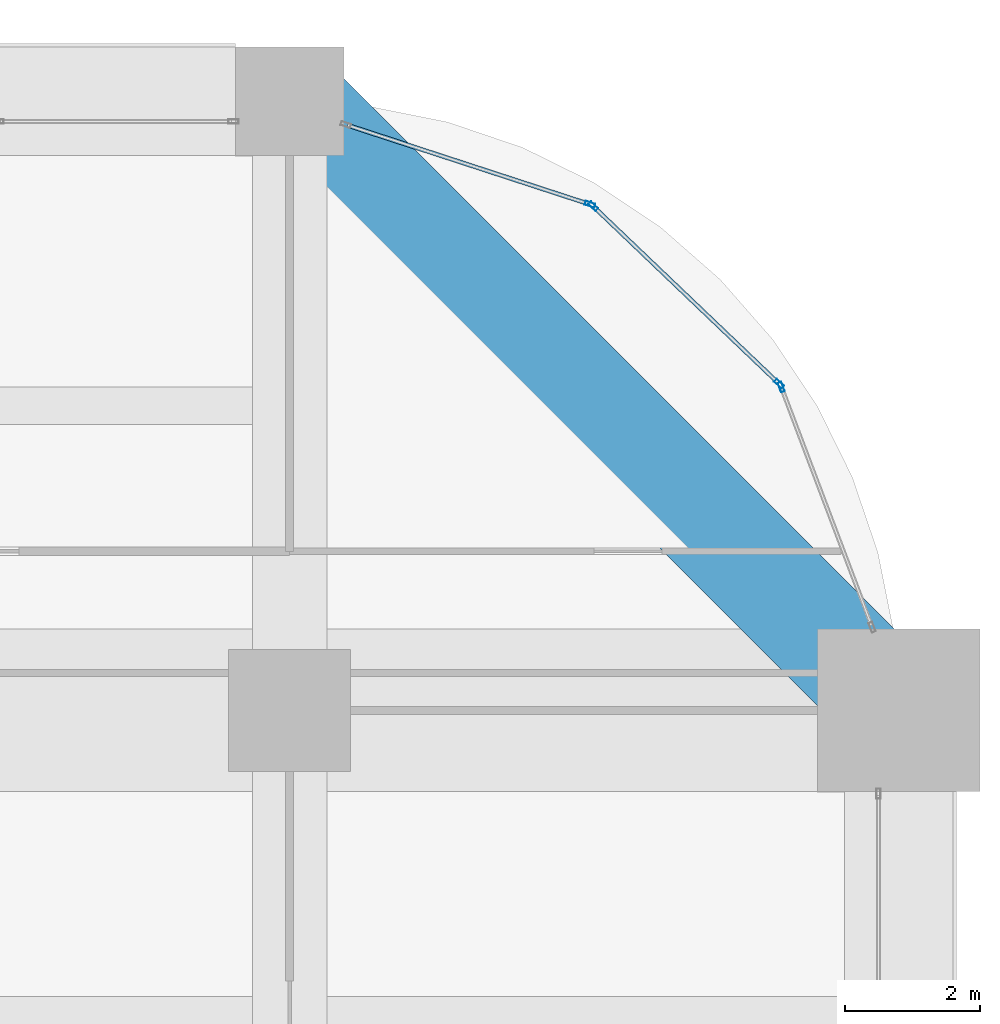
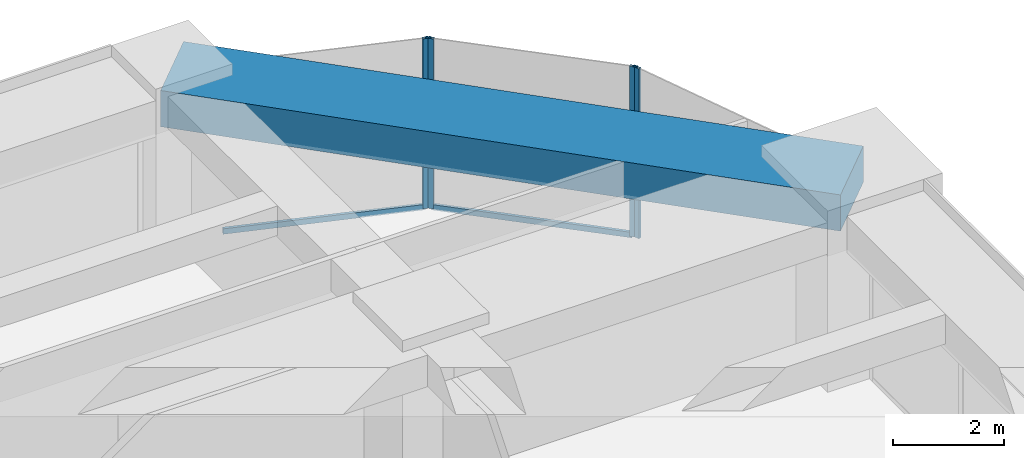
# One storey, part 36 of 43: 6 members, 1 beam, 3 elements without a shape of their own.
"""IFC4 building model written with IfcOpenShell, lengths in metres."""

import ifcopenshell
import ifcopenshell.guid

model = None  # the IFC model being written
_history = None  # IfcOwnerHistory: only IFC2X3 demands one
_inside = {}  # id of a spatial element -> (the spatial element, [elements in it])
_under = {}  # id of a project, library or spatial element -> (it, [spatial elements below it])
_declared = {}  # id of a project -> (the project, [libraries it declares])
_typed = {}  # id of a type object -> (the type object, [elements of that type])
_made_of = {}  # id of a material, layer set ... -> (it, [elements and type objects made of it])


def new_model(schema):
    """Start an empty IFC model of exactly this schema.

    Asked for "IFC4X3", IfcOpenShell would pick the latest addendum, in which some entities
    have other attributes; the version numbers below select the first issue.
    IFC2X3 requires an IfcOwnerHistory on every rooted entity: one is made here for all.
    """
    global model, _history
    if schema == "IFC4X3":
        model = ifcopenshell.file(schema_version=(4, 3, 0, 0))
    else:
        model = ifcopenshell.file(schema=schema)
    _inside.clear()
    _under.clear()
    _declared.clear()
    _typed.clear()
    _made_of.clear()
    _history = None
    if model.schema == "IFC2X3":
        org = make("IfcOrganization", Name="unknown")
        user = make(
            "IfcPersonAndOrganization",
            ThePerson=make("IfcPerson", FamilyName="unknown"),
            TheOrganization=org,
        )
        app = make(
            "IfcApplication",
            ApplicationDeveloper=org,
            Version="unknown",
            ApplicationFullName="unknown",
            ApplicationIdentifier="unknown",
        )
        _history = make(
            "IfcOwnerHistory",
            OwningUser=user,
            OwningApplication=app,
            ChangeAction="ADDED",
            CreationDate=0,
        )
    return model


def make(cls, **values):
    """One entity of the class cls with the attributes given. An attribute that is None is left unset."""
    return model.create_entity(
        cls, **{name: value for name, value in values.items() if value is not None}
    )


def rooted(cls, **values):
    """An entity with a GlobalId (a new one), such as an element, a storey or a relation."""
    return make(cls, GlobalId=ifcopenshell.guid.new(), OwnerHistory=_history, **values)


def si_unit(unit_type, name, prefix=None):
    """IfcSIUnit, for example si_unit("LENGTHUNIT", "METRE", prefix="MILLI")."""
    return make("IfcSIUnit", UnitType=unit_type, Prefix=prefix, Name=name)


def assignment(units):
    """IfcUnitAssignment: the units of a project."""
    return None if units is None else make("IfcUnitAssignment", Units=units)


def point(xyz):
    """IfcCartesianPoint."""
    return None if xyz is None else make("IfcCartesianPoint", Coordinates=xyz)


def direction(xyz):
    """IfcDirection."""
    return None if xyz is None else make("IfcDirection", DirectionRatios=xyz)


def frame(location, z_axis=None, x_axis=None):
    """IfcAxis2Placement3D, a coordinate frame: its origin and axes. An axis left out is left unset."""
    return make(
        "IfcAxis2Placement3D",
        Location=point(location),
        Axis=direction(z_axis),
        RefDirection=direction(x_axis),
    )


def frame_2d(location, x_axis=None):
    """IfcAxis2Placement2D, a coordinate frame in the plane: its origin and x axis."""
    return make(
        "IfcAxis2Placement2D", Location=point(location), RefDirection=direction(x_axis)
    )


def origin():
    """The frame at (0, 0, 0) with its axes left unset."""
    return frame((0.0, 0.0, 0.0))


def origin_2d():
    """The frame at (0, 0) in the plane with its x axis left unset."""
    return frame_2d((0.0, 0.0))


def place(relative_to, where):
    """IfcLocalPlacement: puts the frame where relative to a parent placement (None: the world)."""
    return make(
        "IfcLocalPlacement", PlacementRelTo=relative_to, RelativePlacement=where
    )


def context(
    kind, dimensions, precision=None, world=None, true_north=None, identifier=None
):
    """IfcGeometricRepresentationContext, for example the 3D "Model" context."""
    return make(
        "IfcGeometricRepresentationContext",
        ContextIdentifier=identifier,
        ContextType=kind,
        CoordinateSpaceDimension=dimensions,
        Precision=precision,
        WorldCoordinateSystem=world,
        TrueNorth=true_north,
    )


def subcontext(parent, identifier, kind, view, scale=None):
    """IfcGeometricRepresentationSubContext, for example "Body" below "Model"."""
    return make(
        "IfcGeometricRepresentationSubContext",
        ContextIdentifier=identifier,
        ContextType=kind,
        ParentContext=parent,
        TargetScale=scale,
        TargetView=view,
    )


def project(units=None, contexts=None):
    """IfcProject with its units and contexts."""
    return rooted(
        "IfcProject",
        Name="project",
        RepresentationContexts=contexts,
        UnitsInContext=assignment(units),
    )


def spatial(cls, under=None, at=None, **own):
    """A site, building, storey or space (cls), placed at a placement, below another one or the project."""
    s = rooted(cls, ObjectPlacement=at, **own)
    if under is not None:
        _under.setdefault(under.id(), (under, []))[1].append(s)
    return s


def profile(cls, at=None, kind="AREA", **sizes):
    """A parametric profile (cls). Its sizes go by their IFC names, for example OverallWidth=200.0."""
    return make(cls, ProfileType=kind, Position=at, **sizes)


def rectangle(**sizes):
    """IfcRectangleProfileDef."""
    return profile("IfcRectangleProfileDef", **sizes)


def hollow_rectangle(**sizes):
    """IfcRectangleHollowProfileDef."""
    return profile("IfcRectangleHollowProfileDef", **sizes)


def extrude(swept, where, along, depth):
    """IfcExtrudedAreaSolid: the profile swept, set in the frame where, extruded along a direction by depth."""
    return make(
        "IfcExtrudedAreaSolid",
        SweptArea=swept,
        Position=where,
        ExtrudedDirection=direction(along),
        Depth=depth,
    )


def shape(context_of_items, identifier, shape_type, items):
    """IfcShapeRepresentation: the items that make up one representation, for example the "Body"."""
    return make(
        "IfcShapeRepresentation",
        ContextOfItems=context_of_items,
        RepresentationIdentifier=identifier,
        RepresentationType=shape_type,
        Items=items,
    )


def material(Name=None, Category=None):
    """IfcMaterial."""
    return make("IfcMaterial", Name=Name, Category=Category)


def material_profile(
    of_material, cross_section, Name=None, Category=None, Priority=None
):
    """IfcMaterialProfile: a cross section and its material."""
    return make(
        "IfcMaterialProfile",
        Name=Name,
        Material=of_material,
        Profile=cross_section,
        Priority=Priority,
        Category=Category,
    )


def profile_set(profiles, Name=None, composite=None):
    """IfcMaterialProfileSet."""
    return make(
        "IfcMaterialProfileSet",
        Name=Name,
        MaterialProfiles=profiles,
        CompositeProfile=composite,
    )


def made_of(thing, what):
    """Note that an element or type object is made of a material, layer set ...; save() writes the relation."""
    if what is not None:
        _made_of.setdefault(what.id(), (what, []))[1].append(thing)
    return thing


def type_object(cls, material=None, **own):
    """A type object (cls), such as IfcWallType, which elements share."""
    return made_of(rooted(cls, **own), material)


def element(
    cls,
    number,
    at=None,
    inside=None,
    cuts=None,
    type_object=None,
    material=None,
    context=None,
    identifier="Body",
    shape_type=None,
    held_by="IfcProductDefinitionShape",
    body=None,
    shapes=None,
    **own,
):
    """One element of the class cls, such as IfcWall. Its Tag is "e" and its number.

    at: its placement. inside: the storey or other place that contains it. cuts: it is an
    opening in that element (IfcRelVoidsElement). A single representation is given by context,
    identifier, shape_type and body (its items); several are given by shapes. held_by: the class
    of the entity that holds the representations. save() writes the other relations.
    """
    e = rooted(cls, Tag="e%d" % number, ObjectPlacement=at, **own)
    if body is not None:
        shapes = [shape(context, identifier, shape_type, body)]
    if shapes is not None:
        e.Representation = make(held_by, Representations=shapes)
    if inside is not None:
        _inside.setdefault(inside.id(), (inside, []))[1].append(e)
    if cuts is not None:
        rooted(
            "IfcRelVoidsElement", RelatingBuildingElement=cuts, RelatedOpeningElement=e
        )
    if type_object is not None:
        _typed.setdefault(type_object.id(), (type_object, []))[1].append(e)
    return made_of(e, material)


def aggregate(whole, parts):
    """IfcRelAggregates: a whole, such as a stair, and the parts it consists of."""
    return rooted("IfcRelAggregates", RelatingObject=whole, RelatedObjects=parts)


def save(model, path):
    """Write the relations noted so far, then the file.

    IfcRelAggregates (storeys below a building ...), IfcRelContainedInSpatialStructure (elements
    in a storey), IfcRelDefinesByType, IfcRelAssociatesMaterial and IfcRelDeclares: one each for
    every whole, place, type object, material and project.
    """
    for whole, parts in _under.values():
        aggregate(whole, parts)
    for where, things in _inside.values():
        rooted(
            "IfcRelContainedInSpatialStructure",
            RelatedElements=things,
            RelatingStructure=where,
        )
    for kind, things in _typed.values():
        rooted("IfcRelDefinesByType", RelatedObjects=things, RelatingType=kind)
    for what, things in _made_of.values():
        rooted("IfcRelAssociatesMaterial", RelatedObjects=things, RelatingMaterial=what)
    for by, libraries in _declared.values():
        rooted("IfcRelDeclares", RelatingContext=by, RelatedDefinitions=libraries)
    model.write(path)


model = new_model("IFC4")

# Units and contexts
model_context = context("Model", 3, precision=1e-05, world=origin(), true_north=direction((0.0, 1.0)))
body_context = subcontext(model_context, "Body", "Model", "MODEL_VIEW")
ifc_project = project(units=[si_unit("LENGTHUNIT", "METRE"), si_unit("AREAUNIT", "SQUARE_METRE"), si_unit("VOLUMEUNIT", "CUBIC_METRE"), si_unit("PLANEANGLEUNIT", "RADIAN"), si_unit("MASSUNIT", "GRAM", prefix="KILO")], contexts=[model_context])

# Site, building, storey
site_placement = place(None, origin())
site = spatial("IfcSite", under=ifc_project, at=site_placement, CompositionType="ELEMENT")
building_placement = place(site_placement, origin())
building = spatial("IfcBuilding", under=site, at=building_placement, Name="Zorevar Civic Tower", CompositionType="ELEMENT")
storey_placement = place(building_placement, frame((0.0, 0.0, 141.0)))
storey = spatial("IfcBuildingStorey", under=building, at=storey_placement, Name="L34", CompositionType="ELEMENT", Elevation=141.0)

# Curtain wall, member
ifc_material_1 = material(Name="Dark grey solar-control glass in black aluminium frame", Category="aluminium")
curtain_wall_type = type_object("IfcCurtainWallType", Name="Curtain wall CW3 mid zone", PredefinedType="NOTDEFINED", material=ifc_material_1)
curtain_wall_1_placement = place(storey_placement, origin())
curtain_wall_1 = element("IfcCurtainWall", 1, at=curtain_wall_1_placement, inside=storey, type_object=curtain_wall_type, Name="CW3 L34", PredefinedType="NOTDEFINED")
ifc_material_2 = material(Name="Aluminium, black anodised", Category="aluminium")
ifc_material_profile_1 = material_profile(ifc_material_2, hollow_rectangle(XDim=0.06005859375, YDim=0.14990234375, WallThickness=0.00390625, at=origin_2d()), Name="AL 150x60x4")
ifc_profile_set_1 = profile_set([ifc_material_profile_1], Name="Aluminium, black anodised")
member_type_1 = type_object("IfcMemberType", Name="CW3 mullion AL 150x60x4", PredefinedType="MULLION", material=ifc_profile_set_1)
member_1_placement = place(storey_placement, frame((61.26318359375, 40.777099609375, 0.0), z_axis=(0.0, 0.0, 1.0), x_axis=(-0.935276561184, -0.353917722218, 0.0)))
member_1 = element("IfcMember", 2, at=member_1_placement, type_object=member_type_1, Name="CW3 mullion 2", PredefinedType="MULLION", context=body_context, shape_type="SweptSolid", body=[
    extrude(hollow_rectangle(XDim=0.06005859375, YDim=0.14990234375, WallThickness=0.00390625, at=origin_2d()), origin(), (0.0, 0.0, 1.0), 3.75),
])
aggregate(curtain_wall_1, [member_1])

# Curtain wall, members
curtain_wall_2_placement = place(storey_placement, origin())
curtain_wall_2 = element("IfcCurtainWall", 3, at=curtain_wall_2_placement, inside=storey, type_object=curtain_wall_type, Name="CW3 L34", PredefinedType="NOTDEFINED")
member_2_placement = place(storey_placement, frame((61.23095703125, 40.825927734375, 0.0), z_axis=(0.0, 0.0, 1.0), x_axis=(-0.690545329292, -0.723289117983, 0.0)))
member_2 = element("IfcMember", 4, at=member_2_placement, type_object=member_type_1, Name="CW3 mullion 1", PredefinedType="MULLION", context=body_context, shape_type="SweptSolid", body=[
    extrude(hollow_rectangle(XDim=0.06005859375, YDim=0.14990234375, WallThickness=0.00390625, at=origin_2d()), origin(), (0.0, 0.0, 1.0), 3.75),
])
member_3_placement = place(storey_placement, frame((58.486083984375, 43.4462890625, 0.0), z_axis=(0.0, 0.0, 1.0), x_axis=(-0.690545329292, -0.723289117983, 0.0)))
member_3 = element("IfcMember", 5, at=member_3_placement, type_object=member_type_1, Name="CW3 mullion 2", PredefinedType="MULLION", context=body_context, shape_type="SweptSolid", body=[
    extrude(hollow_rectangle(XDim=0.06005859375, YDim=0.14990234375, WallThickness=0.00390625, at=origin_2d()), origin(), (0.0, 0.0, 1.0), 3.75),
])

# Curtain wall, member
curtain_wall_3_placement = place(storey_placement, origin())
curtain_wall_3 = element("IfcCurtainWall", 6, at=curtain_wall_3_placement, inside=storey, type_object=curtain_wall_type, Name="CW3 L34", PredefinedType="NOTDEFINED")
member_4_placement = place(storey_placement, frame((58.43603515625, 43.476318359375, 0.0), z_axis=(0.0, 0.0, 1.0), x_axis=(-0.310263169163, -0.950650706548, 0.0)))
member_4 = element("IfcMember", 7, at=member_4_placement, type_object=member_type_1, Name="CW3 mullion 1", PredefinedType="MULLION", context=body_context, shape_type="SweptSolid", body=[
    extrude(hollow_rectangle(XDim=0.06005859375, YDim=0.14990234375, WallThickness=0.00390625, at=origin_2d()), origin(), (0.0, 0.0, 1.0), 3.75),
])

# Member
ifc_material_3 = material(Name="Aluminium, black anodised", Category="aluminium")
ifc_material_profile_2 = material_profile(ifc_material_3, hollow_rectangle(XDim=0.06005859375, YDim=0.1201171875, WallThickness=0.0029296875, at=origin_2d()), Name="AL 120x60x3")
ifc_profile_set_2 = profile_set([ifc_material_profile_2], Name="Aluminium, black anodised")
member_type_2 = type_object("IfcMemberType", Name="CW3 transom AL 120x60x3", PredefinedType="USERDEFINED", material=ifc_profile_set_2)
member_5_placement = place(storey_placement, frame((61.209228515625, 40.8466796875, 0.030029296875), z_axis=(-0.723324377588, 0.690508395884, 0.0), x_axis=(-0.690508395884, -0.723324377588, 0.0)))
member_5 = element("IfcMember", 8, at=member_5_placement, type_object=member_type_2, Name="CW3 sill transom", ObjectType="TRANSOM", PredefinedType="USERDEFINED", context=body_context, shape_type="SweptSolid", body=[
    extrude(hollow_rectangle(XDim=0.06005859375, YDim=0.1201171875, WallThickness=0.0029296875, at=origin_2d()), origin(), (0.0, 0.0, 1.0), 3.734619140625),
])

aggregate(curtain_wall_2, [member_2, member_3, member_5])

member_6_placement = place(storey_placement, frame((58.407470703125, 43.485595703125, 0.030029296875), z_axis=(-0.950638909659, 0.310299312669, 0.0), x_axis=(-0.310299312669, -0.950638909659, 0.0)))
member_6 = element("IfcMember", 9, at=member_6_placement, type_object=member_type_2, Name="CW3 sill transom", ObjectType="TRANSOM", PredefinedType="USERDEFINED", context=body_context, shape_type="SweptSolid", body=[
    extrude(hollow_rectangle(XDim=0.06005859375, YDim=0.1201171875, WallThickness=0.0029296875, at=origin_2d()), origin(), (0.0, 0.0, 1.0), 3.73486328125),
])

aggregate(curtain_wall_3, [member_4, member_6])

# Beam
ifc_material_4 = material(Name="Concrete C50/60", Category="concrete")
ifc_material_profile_3 = material_profile(ifc_material_4, rectangle(XDim=1.60009765625, YDim=0.800048828125, at=origin_2d()), Name="RC 1600x800")
ifc_profile_set_3 = profile_set([ifc_material_profile_3], Name="Concrete C50/60")
beam_type = type_object("IfcBeamType", Name="Edge beam RC 1600x800", PredefinedType="SPANDREL", material=ifc_profile_set_3)
beam_placement = place(storey_placement, frame((63.0, 36.0, 3.35009765625), z_axis=(-0.707106781187, 0.707106781187, 0.0), x_axis=(-0.707106781187, -0.707106781187, 0.0)))
element("IfcBeam", 10, at=beam_placement, inside=storey, type_object=beam_type, Name="Corner edge beam L35", PredefinedType="SPANDREL", context=body_context, shape_type="SweptSolid", body=[
    extrude(rectangle(XDim=1.60009765625, YDim=0.800048828125, at=origin_2d()), origin(), (0.0, 0.0, 1.0), 12.72802734375),
])

save(model, "model.ifc")
